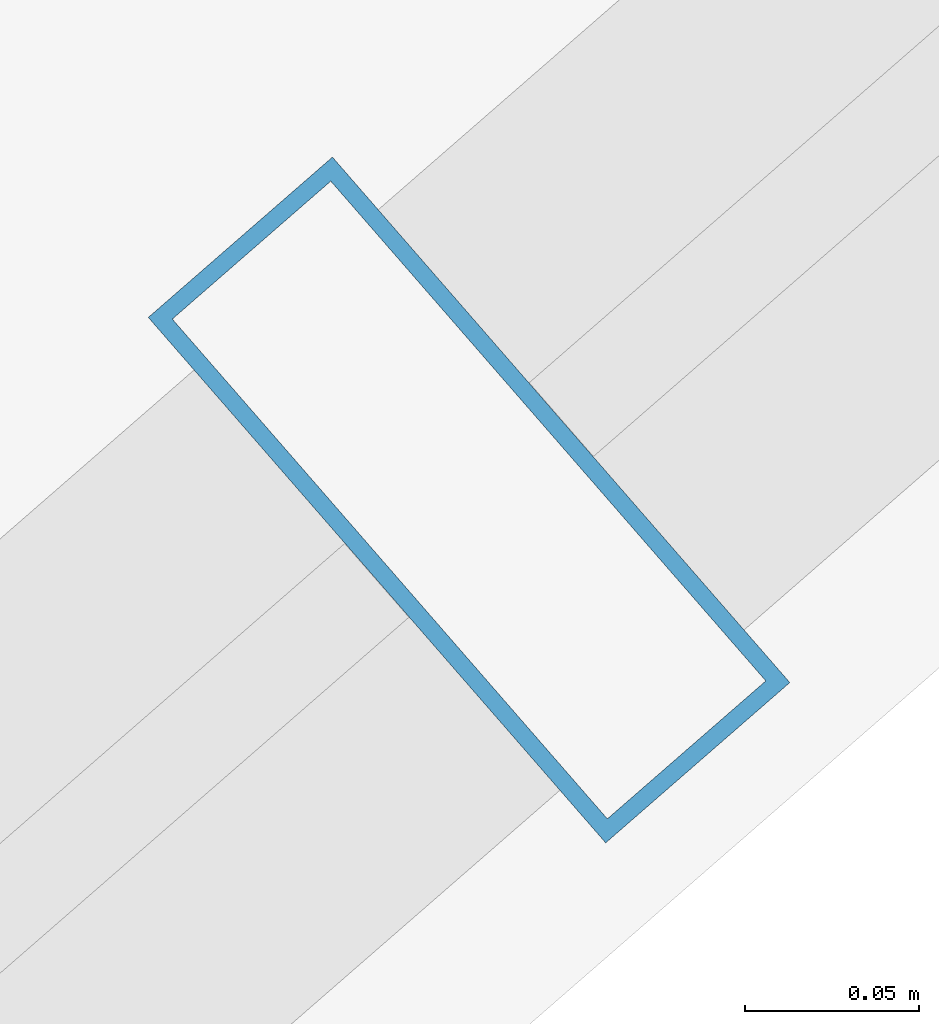
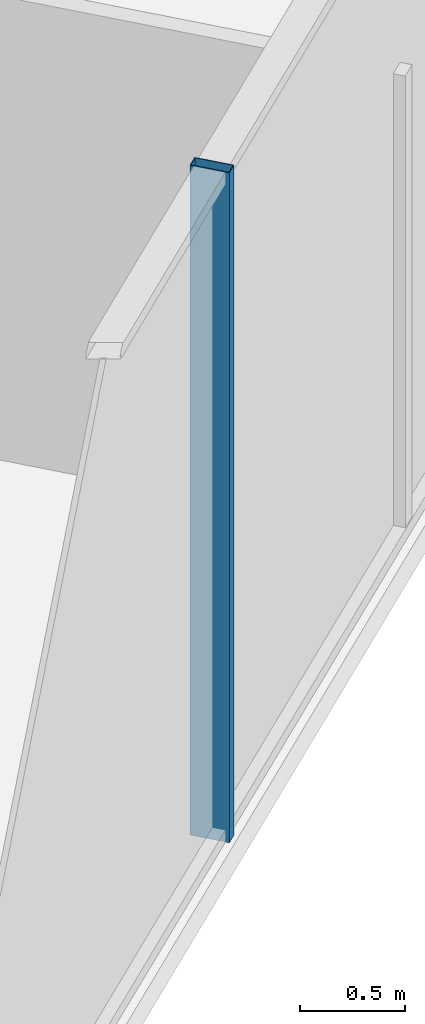
# One storey, part 14 of 28: 1 member, 1 element without a shape of its own.
"""IFC4 building model written with IfcOpenShell, lengths in metres."""

from ifc_helpers import new_model, si_unit, direction, frame, origin, origin_2d, place, context, subcontext, project, spatial, hollow_rectangle, extrude, material, layer, layer_set, material_profile, profile_set, type_object, element, aggregate, save


model = new_model("IFC4")

# Units and contexts
model_context = context("Model", 3, precision=1e-05, world=origin(), true_north=direction((0.0, 1.0)))
body_context = subcontext(model_context, "Body", "Model", "MODEL_VIEW")
ifc_project = project(units=[si_unit("LENGTHUNIT", "METRE"), si_unit("AREAUNIT", "SQUARE_METRE"), si_unit("VOLUMEUNIT", "CUBIC_METRE"), si_unit("PLANEANGLEUNIT", "RADIAN"), si_unit("MASSUNIT", "GRAM", prefix="KILO")], contexts=[model_context])

# Site, building, storey
site_placement = place(None, origin())
site = spatial("IfcSite", under=ifc_project, at=site_placement, CompositionType="ELEMENT")
building_placement = place(site_placement, origin())
building = spatial("IfcBuilding", under=site, at=building_placement, Name="Tarsis Ring Headquarters", CompositionType="ELEMENT")
storey_placement = place(building_placement, frame((0.0, 0.0, 394.39990234375)))
storey = spatial("IfcBuildingStorey", under=building, at=storey_placement, Name="L93", CompositionType="ELEMENT", Elevation=394.39990234375)

# Curtain wall, member
ifc_material_1 = material(Name="Aluminium curtain wall", Category="aluminium")
ifc_layer = layer(ifc_material_1, 0.199951171875)
ifc_layer_set = layer_set([ifc_layer], Name="Curtain wall executive tip")
curtain_wall_type = type_object("IfcCurtainWallType", Name="Curtain wall executive tip", PredefinedType="NOTDEFINED", material=ifc_layer_set)
curtain_wall_placement = place(storey_placement, origin())
curtain_wall = element("IfcCurtainWall", 1, at=curtain_wall_placement, inside=storey, type_object=curtain_wall_type, Name="Curtain wall L93-11", PredefinedType="NOTDEFINED")
ifc_material_2 = material(Name="Aluminium mullion", Category="aluminium")
ifc_material_profile = material_profile(ifc_material_2, hollow_rectangle(XDim=0.199951171875, YDim=0.070068359375, WallThickness=0.0048828125, at=origin_2d()), Name="RHS 200x70x5")
ifc_profile_set = profile_set([ifc_material_profile], Name="Aluminium mullion")
member_type = type_object("IfcMemberType", Name="Curtain wall mullion executive tip RHS 200x70x5", PredefinedType="MULLION", material=ifc_profile_set)
member_placement = place(storey_placement, frame((20.9287109375, -24.041748046875, 0.0), z_axis=(0.0, 0.0, 1.0), x_axis=(-0.656585760716, 0.754251376416, 0.0)))
member = element("IfcMember", 2, at=member_placement, type_object=member_type, Name="CW-E mullion 3", PredefinedType="MULLION", context=body_context, shape_type="SweptSolid", body=[
    extrude(hollow_rectangle(XDim=0.199951171875, YDim=0.070068359375, WallThickness=0.0048828125, at=origin_2d()), origin(), (0.0, 0.0, 1.0), 3.900146484375),
])
aggregate(curtain_wall, [member])

save(model, "model.ifc")
